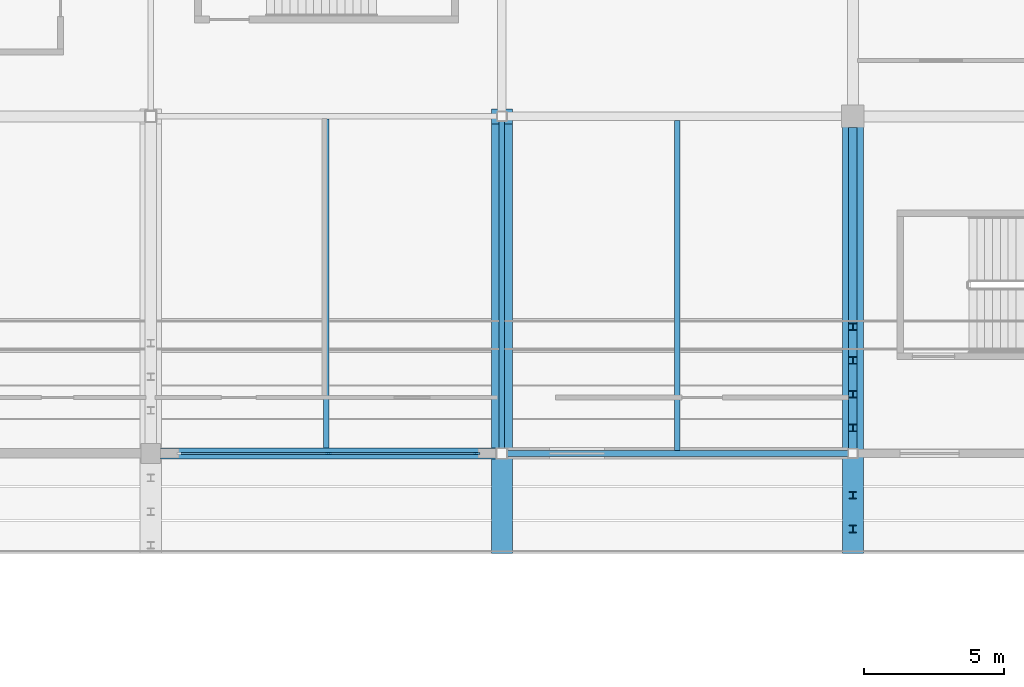
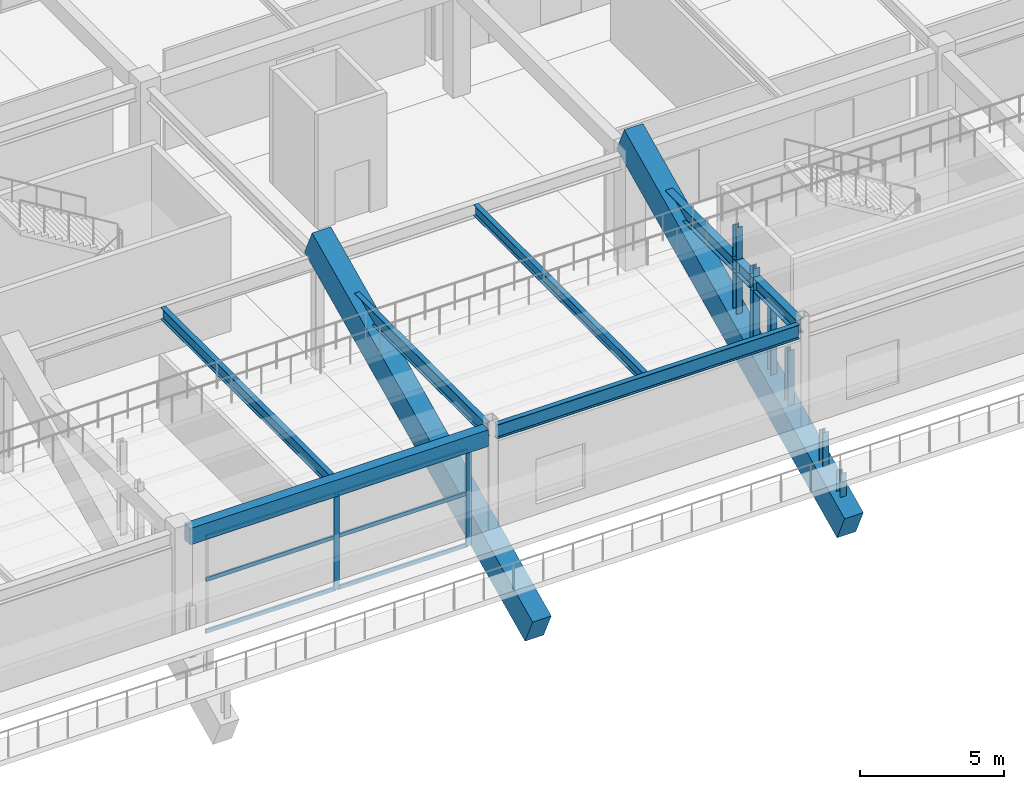
# One storey, part 56 of 128: 14 members, 8 beams, 1 element without a shape of its own.
"""IFC4 building model written with IfcOpenShell, lengths in metres."""

from ifc_helpers import new_model, si_unit, direction, frame, origin, origin_2d, place, context, subcontext, project, spatial, rectangle, i_section, extrude, material, layer, layer_set, material_profile, profile_set, type_object, element, aggregate, save


model = new_model("IFC4")

# Units and contexts
model_context = context("Model", 3, precision=1e-05, world=origin(), true_north=direction((0.0, 1.0)))
body_context = subcontext(model_context, "Body", "Model", "MODEL_VIEW")
ifc_project = project(units=[si_unit("LENGTHUNIT", "METRE"), si_unit("AREAUNIT", "SQUARE_METRE"), si_unit("VOLUMEUNIT", "CUBIC_METRE"), si_unit("PLANEANGLEUNIT", "RADIAN"), si_unit("MASSUNIT", "GRAM", prefix="KILO")], contexts=[model_context])

# Site, building, storey
site_placement = place(None, origin())
site = spatial("IfcSite", under=ifc_project, at=site_placement, CompositionType="ELEMENT")
building_placement = place(site_placement, origin())
building = spatial("IfcBuilding", under=site, at=building_placement, Name="Kazenohara Klinker Stadium", CompositionType="ELEMENT")
storey_placement = place(building_placement, frame((0.0, 0.0, 15.300048828125)))
storey = spatial("IfcBuildingStorey", under=building, at=storey_placement, Name="L03", CompositionType="ELEMENT", Elevation=15.300048828125)

# Beams
ifc_material_1 = material(Name="Steel S355", Category="steel")
ifc_material_profile_1 = material_profile(ifc_material_1, i_section(OverallWidth=0.199951171875, OverallDepth=0.5, WebThickness=0.010009765625, FlangeThickness=0.01611328125, FilletRadius=0.012939453125, at=origin_2d()), Name="H-500x200x10x16")
ifc_profile_set_1 = profile_set([ifc_material_profile_1], Name="Steel S355")
beam_type_1 = type_object("IfcBeamType", Name="BM-JST01", PredefinedType="JOIST", material=ifc_profile_set_1)
beam_1_placement = place(storey_placement, frame((131.25, 132.199951171875, 4.510009765625), z_axis=(0.0, 1.0, 0.0), x_axis=(-1.0, 0.0, 0.0)))
element("IfcBeam", 1, at=beam_1_placement, inside=storey, type_object=beam_type_1, Name="Secondary floor joist SJ01 L03 11/M", PredefinedType="JOIST", context=body_context, shape_type="SweptSolid", body=[
    extrude(i_section(OverallWidth=0.199951171875, OverallDepth=0.5, WebThickness=0.010009765625, FlangeThickness=0.01611328125, FilletRadius=0.012939453125, at=origin_2d()), origin(), (0.0, 0.0, 1.0), 11.699951171875),
])
ifc_material_profile_2 = material_profile(ifc_material_1, i_section(OverallWidth=0.199951171875, OverallDepth=0.449951171875, WebThickness=0.009033203125, FlangeThickness=0.013916015625, FilletRadius=0.012939453125, at=origin_2d()), Name="H-450x200x9x14")
ifc_profile_set_2 = profile_set([ifc_material_profile_2], Name="Steel S355")
beam_type_2 = type_object("IfcBeamType", Name="BM-JST02", PredefinedType="JOIST", material=ifc_profile_set_2)
beam_2_placement = place(storey_placement, frame((143.75, 132.10009765625, 4.534912109375), z_axis=(0.0, 1.0, 0.0), x_axis=(-1.0, 0.0, 0.0)))
element("IfcBeam", 2, at=beam_2_placement, inside=storey, type_object=beam_type_2, Name="Secondary floor joist SJ02 L03 12/M", PredefinedType="JOIST", context=body_context, shape_type="SweptSolid", body=[
    extrude(i_section(OverallWidth=0.199951171875, OverallDepth=0.449951171875, WebThickness=0.009033203125, FlangeThickness=0.013916015625, FilletRadius=0.012939453125, at=origin_2d()), origin(), (0.0, 0.0, 1.0), 11.75),
])
ifc_material_2 = material(Name="Concrete C40/50", Category="concrete")
ifc_material_profile_3 = material_profile(ifc_material_2, rectangle(XDim=0.39990234375, YDim=0.699951171875, at=origin_2d()), Name="RC-BM-400x700")
ifc_profile_set_3 = profile_set([ifc_material_profile_3], Name="Concrete C40/50")
beam_type_3 = type_object("IfcBeamType", Name="BM-RC04", PredefinedType="BEAM", material=ifc_profile_set_3)
beam_3_placement = place(storey_placement, frame((125.35009765625, 132.0, 4.409912109375), z_axis=(1.0, 0.0, 0.0), x_axis=(0.0, 1.0, 0.0)))
element("IfcBeam", 3, at=beam_3_placement, inside=storey, type_object=beam_type_3, Name="Primary girder BG04 L03 11-12/M", PredefinedType="BEAM", context=body_context, shape_type="SweptSolid", body=[
    extrude(rectangle(XDim=0.39990234375, YDim=0.699951171875, at=origin_2d()), origin(), (0.0, 0.0, 1.0), 11.949951171875),
])
ifc_material_profile_4 = material_profile(ifc_material_1, i_section(OverallWidth=0.199951171875, OverallDepth=0.60009765625, WebThickness=0.010986328125, FlangeThickness=0.01708984375, FilletRadius=0.012939453125, at=origin_2d()), Name="H-600x200x11x17")
ifc_profile_set_4 = profile_set([ifc_material_profile_4], Name="Steel S355")
beam_type_4 = type_object("IfcBeamType", Name="BM-ST04", PredefinedType="BEAM", material=ifc_profile_set_4)
beam_4_placement = place(storey_placement, frame((137.699951171875, 132.0, 4.4599609375), z_axis=(1.0, 0.0, 0.0), x_axis=(0.0, 1.0, 0.0)))
element("IfcBeam", 4, at=beam_4_placement, inside=storey, type_object=beam_type_4, Name="Primary girder SB04 L03 12-13/M", PredefinedType="BEAM", context=body_context, shape_type="SweptSolid", body=[
    extrude(i_section(OverallWidth=0.199951171875, OverallDepth=0.60009765625, WebThickness=0.010986328125, FlangeThickness=0.01708984375, FilletRadius=0.012939453125, at=origin_2d()), origin(), (0.0, 0.0, 1.0), 12.125),
])
beam_5_placement = place(storey_placement, frame((137.5, 132.199951171875, 4.4599609375), z_axis=(0.0, 1.0, 0.0), x_axis=(-1.0, 0.0, 0.0)))
element("IfcBeam", 5, at=beam_5_placement, inside=storey, type_object=beam_type_4, Name="Primary girder SB04 L03 12/M-N", PredefinedType="BEAM", context=body_context, shape_type="SweptSolid", body=[
    extrude(i_section(OverallWidth=0.199951171875, OverallDepth=0.60009765625, WebThickness=0.010986328125, FlangeThickness=0.01708984375, FilletRadius=0.012939453125, at=origin_2d()), origin(), (0.0, 0.0, 1.0), 11.625),
])
ifc_material_profile_5 = material_profile(ifc_material_1, i_section(OverallWidth=0.300048828125, OverallDepth=0.587890625, WebThickness=0.011962890625, FlangeThickness=0.02001953125, FilletRadius=0.02197265625, at=origin_2d()), Name="H-588x300x12x20")
ifc_profile_set_5 = profile_set([ifc_material_profile_5], Name="Steel S355")
beam_type_5 = type_object("IfcBeamType", Name="BM-ST05", PredefinedType="BEAM", material=ifc_profile_set_5)
beam_6_placement = place(storey_placement, frame((150.0, 132.175048828125, 4.466064453125), z_axis=(0.0, 1.0, 0.0), x_axis=(-1.0, 0.0, 0.0)))
element("IfcBeam", 6, at=beam_6_placement, inside=storey, type_object=beam_type_5, Name="Primary girder SB05 L03 13/M-N", PredefinedType="BEAM", context=body_context, shape_type="SweptSolid", body=[
    extrude(i_section(OverallWidth=0.300048828125, OverallDepth=0.587890625, WebThickness=0.011962890625, FlangeThickness=0.02001953125, FilletRadius=0.02197265625, at=origin_2d()), origin(), (0.0, 0.0, 1.0), 11.425048828125),
])

# Curtain wall, members
ifc_material_3 = material(Name="Anodised aluminium and triple glazing", Category="aluminium")
ifc_layer = layer(ifc_material_3, 0.179931640625)
ifc_layer_set = layer_set([ifc_layer], Name="Anodised aluminium and triple glazing")
curtain_wall_type = type_object("IfcCurtainWallType", Name="CW-SYS-02", PredefinedType="USERDEFINED", material=ifc_layer_set)
curtain_wall_placement = place(storey_placement, origin())
curtain_wall = element("IfcCurtainWall", 7, at=curtain_wall_placement, inside=storey, type_object=curtain_wall_type, Name="Unitised facade curtain wall CW02 L03 X10-11", ObjectType="UNITISED CURTAIN WALL", PredefinedType="USERDEFINED")
ifc_material_4 = material(Name="Anodised aluminium 6063-T6", Category="aluminium")
ifc_material_profile_6 = material_profile(ifc_material_4, rectangle(XDim=0.074951171875, YDim=0.219970703125, at=origin_2d()), Name="ALU-MUL-75x220")
ifc_profile_set_6 = profile_set([ifc_material_profile_6], Name="Anodised aluminium 6063-T6")
member_type_1 = type_object("IfcMemberType", Name="CW-MUL-220", PredefinedType="MULLION", material=ifc_profile_set_6)
member_1_placement = place(storey_placement, frame((131.324951171875, 132.0, 0.0), z_axis=(0.0, 0.0, 1.0), x_axis=(0.0, 1.0, 0.0)))
member_1 = element("IfcMember", 8, at=member_1_placement, type_object=member_type_1, Name="CW02 mullion 2", PredefinedType="MULLION", context=body_context, shape_type="SweptSolid", body=[
    extrude(rectangle(XDim=0.074951171875, YDim=0.219970703125, at=origin_2d()), origin(), (0.0, 0.0, 1.0), 4.06005859375),
])
member_2_placement = place(storey_placement, frame((136.6083984375, 132.0, 0.0), z_axis=(0.0, 0.0, 1.0), x_axis=(0.0, 1.0, 0.0)))
member_2 = element("IfcMember", 9, at=member_2_placement, type_object=member_type_1, Name="CW02 mullion 3", PredefinedType="MULLION", context=body_context, shape_type="SweptSolid", body=[
    extrude(rectangle(XDim=0.074951171875, YDim=0.219970703125, at=origin_2d()), origin(), (0.0, 0.0, 1.0), 4.06005859375),
])
ifc_material_profile_7 = material_profile(ifc_material_4, rectangle(XDim=0.074951171875, YDim=0.159912109375, at=origin_2d()), Name="ALU-TRN-75x160")
ifc_profile_set_7 = profile_set([ifc_material_profile_7], Name="Anodised aluminium 6063-T6")
member_type_2 = type_object("IfcMemberType", Name="CW-TRN-160", PredefinedType="USERDEFINED", material=ifc_profile_set_7)
member_3_placement = place(storey_placement, frame((126.0791015625, 132.0, 0.037353515625), z_axis=(1.0, 0.0, 0.0), x_axis=(0.0, 1.0, 0.0)))
member_3 = element("IfcMember", 10, at=member_3_placement, type_object=member_type_2, Name="CW02 transom 1.1", ObjectType="TRANSOM", PredefinedType="USERDEFINED", context=body_context, shape_type="SweptSolid", body=[
    extrude(rectangle(XDim=0.074951171875, YDim=0.159912109375, at=origin_2d()), origin(), (0.0, 0.0, 1.0), 5.20849609375),
])
member_4_placement = place(storey_placement, frame((126.0791015625, 132.0, 2.23291015625), z_axis=(1.0, 0.0, 0.0), x_axis=(0.0, 1.0, 0.0)))
member_4 = element("IfcMember", 11, at=member_4_placement, type_object=member_type_2, Name="CW02 transom 1.2", ObjectType="TRANSOM", PredefinedType="USERDEFINED", context=body_context, shape_type="SweptSolid", body=[
    extrude(rectangle(XDim=0.074951171875, YDim=0.159912109375, at=origin_2d()), origin(), (0.0, 0.0, 1.0), 5.20849609375),
])
member_5_placement = place(storey_placement, frame((126.0791015625, 132.0, 4.0224609375), z_axis=(1.0, 0.0, 0.0), x_axis=(0.0, 1.0, 0.0)))
member_5 = element("IfcMember", 12, at=member_5_placement, type_object=member_type_2, Name="CW02 transom 1.3", ObjectType="TRANSOM", PredefinedType="USERDEFINED", context=body_context, shape_type="SweptSolid", body=[
    extrude(rectangle(XDim=0.074951171875, YDim=0.159912109375, at=origin_2d()), origin(), (0.0, 0.0, 1.0), 5.20849609375),
])
member_6_placement = place(storey_placement, frame((131.362548828125, 132.0, 0.037353515625), z_axis=(1.0, 0.0, 0.0), x_axis=(0.0, 1.0, 0.0)))
member_6 = element("IfcMember", 13, at=member_6_placement, type_object=member_type_2, Name="CW02 transom 2.1", ObjectType="TRANSOM", PredefinedType="USERDEFINED", context=body_context, shape_type="SweptSolid", body=[
    extrude(rectangle(XDim=0.074951171875, YDim=0.159912109375, at=origin_2d()), origin(), (0.0, 0.0, 1.0), 5.20849609375),
])
member_7_placement = place(storey_placement, frame((131.362548828125, 132.0, 2.23291015625), z_axis=(1.0, 0.0, 0.0), x_axis=(0.0, 1.0, 0.0)))
member_7 = element("IfcMember", 14, at=member_7_placement, type_object=member_type_2, Name="CW02 transom 2.2", ObjectType="TRANSOM", PredefinedType="USERDEFINED", context=body_context, shape_type="SweptSolid", body=[
    extrude(rectangle(XDim=0.074951171875, YDim=0.159912109375, at=origin_2d()), origin(), (0.0, 0.0, 1.0), 5.20849609375),
])
member_8_placement = place(storey_placement, frame((131.362548828125, 132.0, 4.0224609375), z_axis=(1.0, 0.0, 0.0), x_axis=(0.0, 1.0, 0.0)))
member_8 = element("IfcMember", 15, at=member_8_placement, type_object=member_type_2, Name="CW02 transom 2.3", ObjectType="TRANSOM", PredefinedType="USERDEFINED", context=body_context, shape_type="SweptSolid", body=[
    extrude(rectangle(XDim=0.074951171875, YDim=0.159912109375, at=origin_2d()), origin(), (0.0, 0.0, 1.0), 5.20849609375),
])
aggregate(curtain_wall, [member_1, member_2, member_3, member_4, member_5, member_6, member_7, member_8])

# Members
ifc_material_profile_8 = material_profile(ifc_material_1, i_section(OverallWidth=0.25, OverallDepth=0.25, WebThickness=0.009033203125, FlangeThickness=0.013916015625, FilletRadius=0.012939453125, at=origin_2d()), Name="H-250x250x9x14")
ifc_profile_set_8 = profile_set([ifc_material_profile_8], Name="Steel S355")
member_type_3 = type_object("IfcMemberType", Name="MEM-STR02", PredefinedType="STRUT", material=ifc_profile_set_8)
member_9_placement = place(storey_placement, frame((150.0, 136.510009765625, 2.04541015625), z_axis=(0.0, 0.0, 1.0), x_axis=(1.0, 0.0, 0.0)))
element("IfcMember", 16, at=member_9_placement, inside=storey, type_object=member_type_3, Name="Precast tier riser stool UPPER-N-01-12", PredefinedType="STRUT", context=body_context, shape_type="SweptSolid", body=[
    extrude(i_section(OverallWidth=0.25, OverallDepth=0.25, WebThickness=0.009033203125, FlangeThickness=0.013916015625, FilletRadius=0.012939453125, at=origin_2d()), origin(), (0.0, 0.0, 1.0), 4.074462890625),
])
member_10_placement = place(storey_placement, frame((150.0, 135.31005859375, 1.49853515625), z_axis=(0.0, 0.0, 1.0), x_axis=(1.0, 0.0, 0.0)))
element("IfcMember", 17, at=member_10_placement, inside=storey, type_object=member_type_3, Name="Precast tier riser stool UPPER-N-02-12", PredefinedType="STRUT", context=body_context, shape_type="SweptSolid", body=[
    extrude(i_section(OverallWidth=0.25, OverallDepth=0.25, WebThickness=0.009033203125, FlangeThickness=0.013916015625, FilletRadius=0.012939453125, at=origin_2d()), origin(), (0.0, 0.0, 1.0), 3.613037109375),
])
member_11_placement = place(storey_placement, frame((150.0, 134.110107421875, 0.95166015625), z_axis=(0.0, 0.0, 1.0), x_axis=(1.0, 0.0, 0.0)))
element("IfcMember", 18, at=member_11_placement, inside=storey, type_object=member_type_3, Name="Precast tier riser stool UPPER-N-03-12", PredefinedType="STRUT", context=body_context, shape_type="SweptSolid", body=[
    extrude(i_section(OverallWidth=0.25, OverallDepth=0.25, WebThickness=0.009033203125, FlangeThickness=0.013916015625, FilletRadius=0.012939453125, at=origin_2d()), origin(), (0.0, 0.0, 1.0), 3.151611328125),
])
member_12_placement = place(storey_placement, frame((150.0, 132.909912109375, 0.40478515625), z_axis=(0.0, 0.0, 1.0), x_axis=(1.0, 0.0, 0.0)))
element("IfcMember", 19, at=member_12_placement, inside=storey, type_object=member_type_3, Name="Precast tier riser stool UPPER-N-04-12", PredefinedType="STRUT", context=body_context, shape_type="SweptSolid", body=[
    extrude(i_section(OverallWidth=0.25, OverallDepth=0.25, WebThickness=0.009033203125, FlangeThickness=0.013916015625, FilletRadius=0.012939453125, at=origin_2d()), origin(), (0.0, 0.0, 1.0), 2.690185546875),
])
member_13_placement = place(storey_placement, frame((150.0, 130.510009765625, -0.68896484375), z_axis=(0.0, 0.0, 1.0), x_axis=(1.0, 0.0, 0.0)))
element("IfcMember", 20, at=member_13_placement, inside=storey, type_object=member_type_3, Name="Precast tier riser stool UPPER-N-06-12", PredefinedType="STRUT", context=body_context, shape_type="SweptSolid", body=[
    extrude(i_section(OverallWidth=0.25, OverallDepth=0.25, WebThickness=0.009033203125, FlangeThickness=0.013916015625, FilletRadius=0.012939453125, at=origin_2d()), origin(), (0.0, 0.0, 1.0), 1.767333984375),
])
member_14_placement = place(storey_placement, frame((150.0, 129.31005859375, -1.235595703125), z_axis=(0.0, 0.0, 1.0), x_axis=(1.0, 0.0, 0.0)))
element("IfcMember", 21, at=member_14_placement, inside=storey, type_object=member_type_3, Name="Precast tier riser stool UPPER-N-07-12", PredefinedType="STRUT", context=body_context, shape_type="SweptSolid", body=[
    extrude(i_section(OverallWidth=0.25, OverallDepth=0.25, WebThickness=0.009033203125, FlangeThickness=0.013916015625, FilletRadius=0.012939453125, at=origin_2d()), origin(), (0.0, 0.0, 1.0), 1.3056640625),
])

# Beams
ifc_material_5 = material(Name="Precast concrete C50/60", Category="concrete")
ifc_material_profile_9 = material_profile(ifc_material_5, rectangle(XDim=0.75, YDim=1.25, at=origin_2d()), Name="PC-RAKER-750x1250")
ifc_profile_set_9 = profile_set([ifc_material_profile_9], Name="Precast concrete C50/60")
beam_type_6 = type_object("IfcBeamType", Name="RAKER-RK02", PredefinedType="USERDEFINED", material=ifc_profile_set_9)
for number, where, z_axis, x_axis, name in (
    (22, (137.5, 144.0, 5.351318359375), (0.0, -0.904820338238, -0.425793559734), (1.0, 0.0, 0.0), "Precast bowl raker girder RK02 UPPER North 12"),
    (23, (150.0, 144.0, 5.351318359375), (0.0, -0.904820338238, -0.425793559734), (1.0, 0.0, 0.0), "Precast bowl raker girder RK02 UPPER North 13"),
):
    element("IfcBeam", number, at=place(storey_placement, frame(where, z_axis=z_axis, x_axis=x_axis)), inside=storey, type_object=beam_type_6, Name=name, ObjectType="RAKER", PredefinedType="USERDEFINED", context=body_context, shape_type="SweptSolid", body=[
        extrude(rectangle(XDim=0.75, YDim=1.25, at=origin_2d()), origin(), (0.0, 0.0, 1.0), 16.909423828125),
    ])

save(model, "model.ifc")
